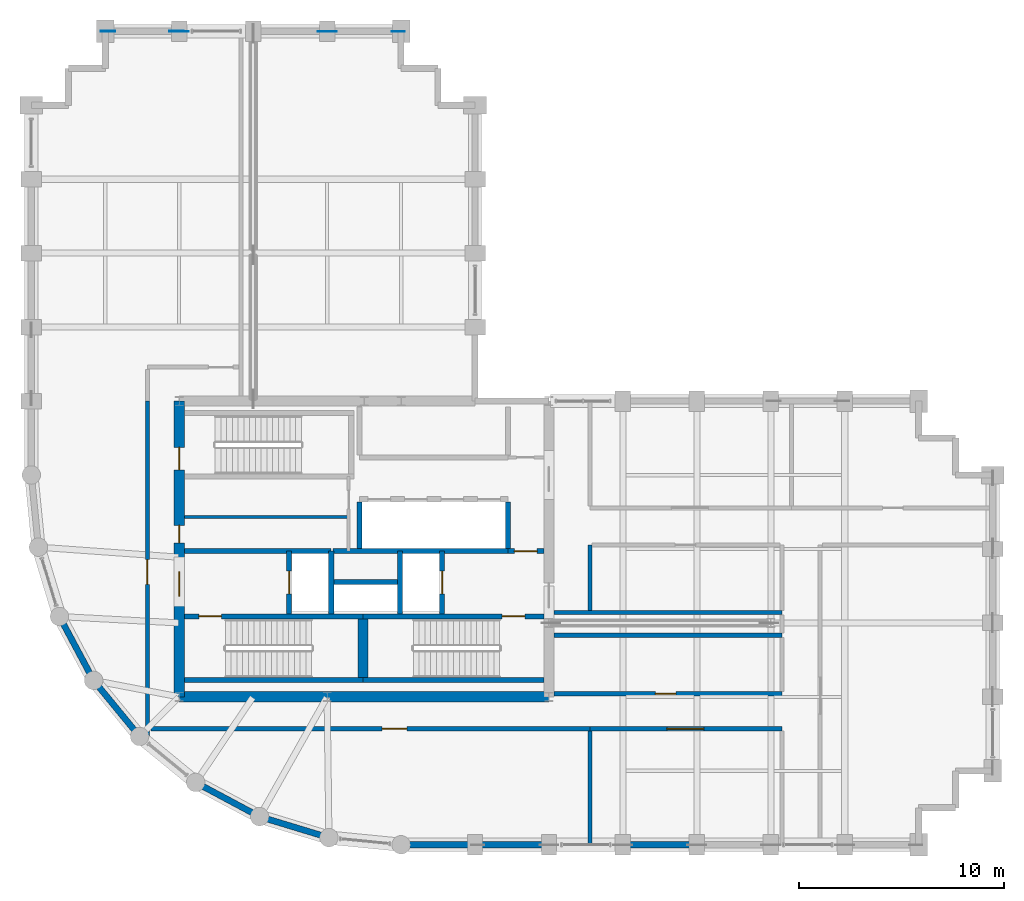
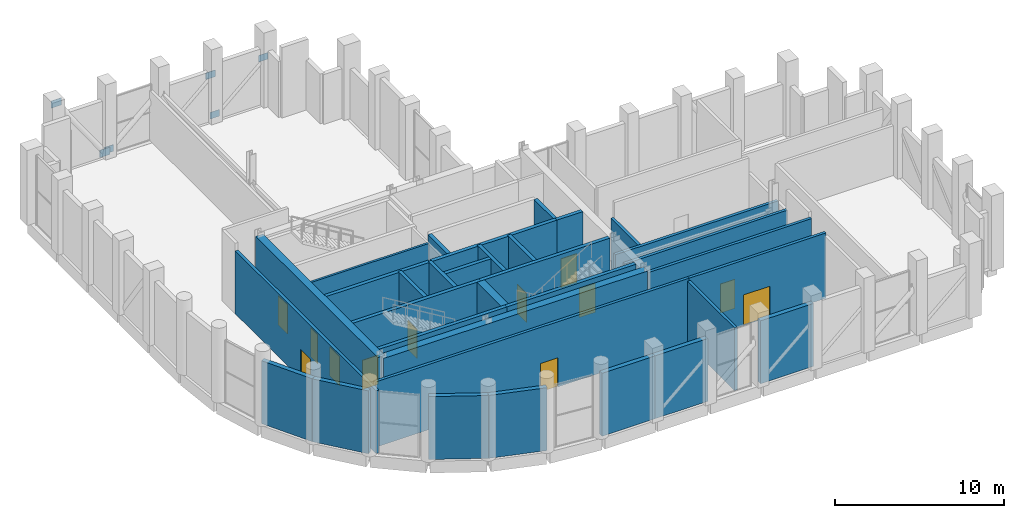
# One storey, part 16 of 19: 33 walls, 12 doors, 6 plates, 12 openings.
"""IFC4 building model written with IfcOpenShell, lengths in metres."""

from ifc_helpers import new_model, si_unit, direction, frame, frame_2d, origin, origin_2d, place, context, subcontext, project, spatial, rectangle, extrude, material, layer, layer_set, type_object, element, fill, save


model = new_model("IFC4")

# Units and contexts
model_context = context("Model", 3, precision=1e-05, world=origin(), true_north=direction((0.0, 1.0)))
body_context = subcontext(model_context, "Body", "Model", "MODEL_VIEW")
ifc_project = project(units=[si_unit("LENGTHUNIT", "METRE"), si_unit("AREAUNIT", "SQUARE_METRE"), si_unit("VOLUMEUNIT", "CUBIC_METRE"), si_unit("PLANEANGLEUNIT", "RADIAN"), si_unit("MASSUNIT", "GRAM", prefix="KILO")], contexts=[model_context])

# Site, building, storey
site_placement = place(None, origin())
site = spatial("IfcSite", under=ifc_project, at=site_placement, CompositionType="ELEMENT")
building_placement = place(site_placement, origin())
building = spatial("IfcBuilding", under=site, at=building_placement, Name="Solnavia Interchange Tower", CompositionType="ELEMENT")
storey_placement = place(building_placement, frame((0.0, 0.0, 169.39990234375)))
storey = spatial("IfcBuildingStorey", under=building, at=storey_placement, Name="L42", CompositionType="ELEMENT", Elevation=169.39990234375)

# Plates
ifc_material_1 = material(Name="Steel S460", Category="steel")
ifc_layer_1 = layer(ifc_material_1, 0.02490234375)
ifc_layer_set_1 = layer_set([ifc_layer_1], Name="Steel S460")
plate_type_1 = type_object("IfcPlateType", Name="Plate-Gusset-640x480x25", PredefinedType="USERDEFINED", material=ifc_layer_set_1)
for number, where, z_axis, x_axis, name in (
    (1, (14.5400390625, 43.199951171875, 0.06005859375), (0.0, 0.0, 1.0), (1.0, 0.0, 0.0), "PLT-L42-GP37 Belt truss gusset plate"),
    (2, (21.4599609375, 43.199951171875, 3.010009765625), (0.0, 0.0, 1.0), (1.0, 0.0, 0.0), "PLT-L42-GP38 Belt truss gusset plate"),
    (3, (21.739990234375, 43.199951171875, 0.06005859375), (0.0, 0.0, 1.0), (1.0, 0.0, 0.0), "PLT-L42-GP39 Belt truss gusset plate"),
    (4, (25.06005859375, 43.199951171875, 3.010009765625), (0.0, 0.0, 1.0), (1.0, 0.0, 0.0), "PLT-L42-GP40 Belt truss gusset plate"),
):
    element("IfcPlate", number, at=place(storey_placement, frame(where, z_axis=z_axis, x_axis=x_axis)), inside=storey, type_object=plate_type_1, Name=name, ObjectType="GUSSET PLATE", PredefinedType="USERDEFINED", context=body_context, shape_type="SweptSolid", body=[
        extrude(rectangle(XDim=0.639892578125, YDim=0.02490234375, at=origin_2d()), origin(), (0.0, 0.0, 1.0), 0.47998046875),
    ])
ifc_layer_2 = layer(ifc_material_1, 0.030029296875)
ifc_layer_set_2 = layer_set([ifc_layer_2], Name="Steel S460")
plate_type_2 = type_object("IfcPlateType", Name="Plate-Gusset-700x520x30", PredefinedType="USERDEFINED", material=ifc_layer_set_2)
for number, where, z_axis, x_axis, name in (
    (5, (14.260009765625, 43.199951171875, -0.079833984375), (0.0, 0.0, 1.0), (-1.0, 0.0, 0.0), "PLT-L42-GP05 Perimeter brace gusset plate"),
    (6, (10.93994140625, 43.199951171875, 4.64013671875), (0.0, 0.0, 1.0), (-1.0, 0.0, 0.0), "PLT-L42-GP06 Perimeter brace gusset plate"),
):
    element("IfcPlate", number, at=place(storey_placement, frame(where, z_axis=z_axis, x_axis=x_axis)), inside=storey, type_object=plate_type_2, Name=name, ObjectType="GUSSET PLATE", PredefinedType="USERDEFINED", context=body_context, shape_type="SweptSolid", body=[
        extrude(rectangle(XDim=0.699951171875, YDim=0.030029296875, at=origin_2d()), origin(), (0.0, 0.0, 1.0), 0.52001953125),
    ])

# Walls
ifc_material_2 = material(Name="Concrete C40/50", Category="concrete")
ifc_layer_3 = layer(ifc_material_2, 0.300048828125)
ifc_layer_set_3 = layer_set([ifc_layer_3], Name="Concrete C40/50")
wall_type_1 = type_object("IfcWallType", Name="Wall-ExtSpandrel-300", PredefinedType="STANDARD", material=ifc_layer_set_3)
wall_1_placement = place(storey_placement, frame((28.800048828125, 3.60009765625, 0.0), z_axis=(0.0, 0.0, 1.0), x_axis=(-1.0, 0.0, 0.0)))
element("IfcWall", 7, at=wall_1_placement, inside=storey, type_object=wall_type_1, Name="EXW-L42-01 Exterior precast spandrel wall", PredefinedType="STANDARD", context=body_context, shape_type="SweptSolid", body=[
    extrude(rectangle(XDim=3.60009765625, YDim=0.300048828125, at=frame_2d((1.800048828125, 0.0))), origin(), (0.0, 0.0, 1.0), 4.530029296875),
])
wall_2_placement = place(storey_placement, frame((32.39990234375, 3.60009765625, 0.0), z_axis=(0.0, 0.0, 1.0), x_axis=(-1.0, 0.0, 0.0)))
element("IfcWall", 8, at=wall_2_placement, inside=storey, type_object=wall_type_1, Name="EXW-L42-02 Exterior precast spandrel wall", PredefinedType="STANDARD", context=body_context, shape_type="SweptSolid", body=[
    extrude(rectangle(XDim=3.599853515625, YDim=0.300048828125, at=frame_2d((1.7998046875, 0.0))), origin(), (0.0, 0.0, 1.0), 4.530029296875),
])
wall_3_placement = place(storey_placement, frame((39.60009765625, 3.60009765625, 0.0), z_axis=(0.0, 0.0, 1.0), x_axis=(-1.0, 0.0, 0.0)))
element("IfcWall", 9, at=wall_3_placement, inside=storey, type_object=wall_type_1, Name="EXW-L42-04 Exterior precast spandrel wall", PredefinedType="STANDARD", context=body_context, shape_type="SweptSolid", body=[
    extrude(rectangle(XDim=3.60009765625, YDim=0.300048828125, at=frame_2d((1.800048828125, 0.0))), origin(), (0.0, 0.0, 1.0), 4.530029296875),
])
wall_4_placement = place(storey_placement, frame((10.23388671875, 11.60009765625, 0.0), z_axis=(0.0, 0.0, 1.0), x_axis=(-0.47151087309, 0.881860247748, 0.0)))
element("IfcWall", 10, at=wall_4_placement, inside=storey, type_object=wall_type_1, Name="EXW-L42-49 Exterior precast spandrel wall", PredefinedType="STANDARD", context=body_context, shape_type="SweptSolid", body=[
    extrude(rectangle(XDim=3.52880859375, YDim=0.300048828125, at=frame_2d((1.764404296875, 0.0))), origin(), (0.0, 0.0, 1.0), 4.530029296875),
])
wall_5_placement = place(storey_placement, frame((12.471923828125, 8.8720703125, 0.0), z_axis=(0.0, 0.0, 1.0), x_axis=(-0.634258295121, 0.773121216285, 0.0)))
element("IfcWall", 11, at=wall_5_placement, inside=storey, type_object=wall_type_1, Name="EXW-L42-50 Exterior precast spandrel wall", PredefinedType="STANDARD", context=body_context, shape_type="SweptSolid", body=[
    extrude(rectangle(XDim=3.528564453125, YDim=0.300048828125, at=frame_2d((1.76416015625, 0.0))), origin(), (0.0, 0.0, 1.0), 4.530029296875),
])
wall_6_placement = place(storey_placement, frame((18.31201171875, 4.969970703125, 0.0), z_axis=(0.0, 0.0, 1.0), x_axis=(-0.881846862014, 0.471535907389, 0.0)))
element("IfcWall", 12, at=wall_6_placement, inside=storey, type_object=wall_type_1, Name="EXW-L42-52 Exterior precast spandrel wall", PredefinedType="STANDARD", context=body_context, shape_type="SweptSolid", body=[
    extrude(rectangle(XDim=3.529052734375, YDim=0.300048828125, at=frame_2d((1.7646484375, 0.0))), origin(), (0.0, 0.0, 1.0), 4.530029296875),
])
wall_7_placement = place(storey_placement, frame((21.68798828125, 3.946044921875, 0.0), z_axis=(0.0, 0.0, 1.0), x_axis=(-0.956953367403, 0.290241714123, 0.0)))
element("IfcWall", 13, at=wall_7_placement, inside=storey, type_object=wall_type_1, Name="EXW-L42-53 Exterior precast spandrel wall", PredefinedType="STANDARD", context=body_context, shape_type="SweptSolid", body=[
    extrude(rectangle(XDim=3.52783203125, YDim=0.300048828125, at=frame_2d((1.763916015625, 0.0))), origin(), (0.0, 0.0, 1.0), 4.530029296875),
])
ifc_material_3 = material(Name="Gypsum Plasterboard & Steel Stud", Category="steel")
ifc_layer_4 = layer(ifc_material_3, 0.14990234375)
ifc_layer_set_4 = layer_set([ifc_layer_4], Name="Gypsum Plasterboard & Steel Stud")
wall_type_2 = type_object("IfcWallType", Name="Wall-Partition-150", PredefinedType="PARTITIONING", material=ifc_layer_set_4)
wall_8_placement = place(storey_placement, frame((14.64990234375, 19.550048828125, 0.0), z_axis=(0.0, 0.0, 1.0), x_axis=(1.0, 0.0, 0.0)))
element("IfcWall", 14, at=wall_8_placement, inside=storey, type_object=wall_type_2, Name="CSW-L42-H1 Core shaft wall", PredefinedType="PARTITIONING", context=body_context, shape_type="SweptSolid", body=[
    extrude(rectangle(XDim=8.0, YDim=0.14990234375, at=frame_2d((4.0, 0.0))), origin(), (0.0, 0.0, 1.0), 5.065185546875),
])

# Wall, opening, door
ifc_layer_5 = layer(ifc_material_2, 0.199951171875)
ifc_layer_set_5 = layer_set([ifc_layer_5], Name="Concrete C40/50")
wall_type_3 = type_object("IfcWallType", Name="Wall-PlantFire-200", PredefinedType="PARTITIONING", material=ifc_layer_set_5)
wall_9_placement = place(storey_placement, frame((12.85009765625, 8.56201171875, 0.0), z_axis=(0.0, 0.0, 1.0), x_axis=(0.0, 1.0, 0.0)))
wall_9 = element("IfcWall", 15, at=wall_9_placement, inside=storey, type_object=wall_type_3, Name="PTW-L42-02 Interior partition wall", PredefinedType="PARTITIONING", context=body_context, shape_type="SweptSolid", body=[
    extrude(rectangle(XDim=16.637939453125, YDim=0.199951171875, at=frame_2d((8.31884765625, 0.0))), origin(), (0.0, 0.0, 1.0), 4.530029296875),
])
opening_1_placement = place(wall_9_placement, frame((7.718994140625, 0.0, 0.0)))
opening_1 = element("IfcOpeningElement", 16, at=opening_1_placement, cuts=wall_9, Name="Opening DR-02", PredefinedType="OPENING", context=body_context, shape_type="SweptSolid", body=[
    extrude(rectangle(XDim=1.199951171875, YDim=2.10009765625, at=frame_2d((0.60009765625, 1.050048828125))), frame((0.0, 0.10986328125, 0.0), z_axis=(0.0, -1.0, 0.0), x_axis=(1.0, 0.0, 0.0)), (0.0, 0.0, 1.0), 0.219970703125),
])
ifc_material_4 = material(Name="Steel Fire-Rated Vision-Panel Door", Category="steel")
door_type_1 = type_object("IfcDoorType", Name="Door-LobbyFire-1200x2100", OperationType="SINGLE_SWING_RIGHT", PredefinedType="DOOR", material=ifc_material_4)
door_1_placement = place(opening_1_placement, origin())
door_1 = element("IfcDoor", 17, at=door_1_placement, inside=storey, type_object=door_type_1, Name="DR-L42-01 Interior room door", OperationType="SINGLE_SWING_LEFT", OverallHeight=2.10009765625, OverallWidth=1.199951171875, PredefinedType="DOOR", context=body_context, shape_type="SweptSolid", body=[
    extrude(rectangle(XDim=1.199951171875, YDim=2.10009765625, at=frame_2d((0.60009765625, 1.050048828125))), frame((0.0, 0.02490234375, 0.0), z_axis=(0.0, -1.0, 0.0), x_axis=(1.0, 0.0, 0.0)), (0.0, 0.0, 1.0), 0.050048828125),
])
fill(opening_1, door_1)

# Walls
for number, where, z_axis, x_axis, name in (
    (18, (32.654052734375, 13.800048828125, 0.0), (0.0, 0.0, 1.0), (1.0, 0.0, 0.0), "PTW-L42-06 Interior partition wall"),
    (19, (32.654052734375, 14.89990234375, 0.0), (0.0, 0.0, 1.0), (1.0, 0.0, 0.0), "PTW-L42-07 Interior partition wall"),
):
    element("IfcWall", number, at=place(storey_placement, frame(where, z_axis=z_axis, x_axis=x_axis)), inside=storey, type_object=wall_type_3, Name=name, PredefinedType="PARTITIONING", context=body_context, shape_type="SweptSolid", body=[
        extrude(rectangle(XDim=11.095947265625, YDim=0.199951171875, at=frame_2d((5.5478515625, 0.0))), origin(), (0.0, 0.0, 1.0), 3.580078125),
    ])

# Wall, opening, door
wall_10_placement = place(storey_placement, frame((13.030029296875, 9.25, 0.0), z_axis=(0.0, 0.0, 1.0), x_axis=(1.0, 0.0, 0.0)))
wall_10 = element("IfcWall", 20, at=wall_10_placement, inside=storey, type_object=wall_type_3, Name="PTW-L42-09 Interior partition wall", PredefinedType="PARTITIONING", context=body_context, shape_type="SweptSolid", body=[
    extrude(rectangle(XDim=21.369873046875, YDim=0.199951171875, at=frame_2d((10.68505859375, 0.0))), origin(), (0.0, 0.0, 1.0), 4.7001953125),
])
opening_2_placement = place(wall_10_placement, frame((11.248046875, 0.0, 0.0)))
opening_2 = element("IfcOpeningElement", 21, at=opening_2_placement, cuts=wall_10, Name="Opening DR-02", PredefinedType="OPENING", context=body_context, shape_type="SweptSolid", body=[
    extrude(rectangle(XDim=1.199951171875, YDim=2.10009765625, at=frame_2d((0.60009765625, 1.050048828125))), frame((0.0, 0.10986328125, 0.0), z_axis=(0.0, -1.0, 0.0), x_axis=(1.0, 0.0, 0.0)), (0.0, 0.0, 1.0), 0.219970703125),
])
door_2_placement = place(opening_2_placement, origin())
door_2 = element("IfcDoor", 22, at=door_2_placement, inside=storey, type_object=door_type_1, Name="DR-L42-03 Interior room door", OperationType="SINGLE_SWING_RIGHT", OverallHeight=2.10009765625, OverallWidth=1.199951171875, PredefinedType="DOOR", context=body_context, shape_type="SweptSolid", body=[
    extrude(rectangle(XDim=1.199951171875, YDim=2.10009765625, at=frame_2d((0.60009765625, 1.050048828125))), frame((0.0, 0.02490234375, 0.0), z_axis=(0.0, -1.0, 0.0), x_axis=(1.0, 0.0, 0.0)), (0.0, 0.0, 1.0), 0.050048828125),
])
fill(opening_2, door_2)

# Wall
wall_11_placement = place(storey_placement, frame((34.39990234375, 3.60009765625, 0.0), z_axis=(0.0, 0.0, 1.0), x_axis=(0.0, 1.0, 0.0)))
element("IfcWall", 23, at=wall_11_placement, inside=storey, type_object=wall_type_3, Name="PTW-L42-10 Interior partition wall", PredefinedType="PARTITIONING", context=body_context, shape_type="SweptSolid", body=[
    extrude(rectangle(XDim=5.5458984375, YDim=0.199951171875, at=frame_2d((2.77294921875, 0.0))), origin(), (0.0, 0.0, 1.0), 4.530029296875),
])

# Wall, opening, door
wall_12_placement = place(storey_placement, frame((34.39990234375, 9.25, 0.0), z_axis=(0.0, 0.0, 1.0), x_axis=(1.0, 0.0, 0.0)))
wall_12 = element("IfcWall", 24, at=wall_12_placement, inside=storey, type_object=wall_type_3, Name="PTW-L42-11 Interior partition wall", PredefinedType="PARTITIONING", context=body_context, shape_type="SweptSolid", body=[
    extrude(rectangle(XDim=9.35009765625, YDim=0.199951171875, at=frame_2d((4.675048828125, 0.0))), origin(), (0.0, 0.0, 1.0), 4.7001953125),
])
opening_3_placement = place(wall_12_placement, frame((3.735107421875, 0.0, 0.0)))
opening_3 = element("IfcOpeningElement", 25, at=opening_3_placement, cuts=wall_12, Name="Opening DR-05", PredefinedType="OPENING", context=body_context, shape_type="SweptSolid", body=[
    extrude(rectangle(XDim=1.800048828125, YDim=2.199951171875, at=frame_2d((0.89990234375, 1.10009765625))), frame((0.0, 0.10986328125, 0.0), z_axis=(0.0, -1.0, 0.0), x_axis=(1.0, 0.0, 0.0)), (0.0, 0.0, 1.0), 0.219970703125),
])
ifc_material_5 = material(Name="Steel Double Fire Door", Category="steel")
door_type_2 = type_object("IfcDoorType", Name="Door-PlantDouble-1800x2200", OperationType="DOUBLE_DOOR_SINGLE_SWING", PredefinedType="DOOR", material=ifc_material_5)
door_3_placement = place(opening_3_placement, origin())
door_3 = element("IfcDoor", 26, at=door_3_placement, inside=storey, type_object=door_type_2, Name="DR-L42-04 Interior room door", OperationType="DOUBLE_DOOR_SINGLE_SWING", OverallHeight=2.199951171875, OverallWidth=1.800048828125, PredefinedType="DOOR", context=body_context, shape_type="SweptSolid", body=[
    extrude(rectangle(XDim=1.800048828125, YDim=2.199951171875, at=frame_2d((0.89990234375, 1.10009765625))), frame((0.0, 0.02490234375, 0.0), z_axis=(0.0, -1.0, 0.0), x_axis=(1.0, 0.0, 0.0)), (0.0, 0.0, 1.0), 0.050048828125),
])
fill(opening_3, door_3)

# Wall
wall_13_placement = place(storey_placement, frame((34.39990234375, 15.00390625, 0.0), z_axis=(0.0, 0.0, 1.0), x_axis=(0.0, 1.0, 0.0)))
element("IfcWall", 27, at=wall_13_placement, inside=storey, type_object=wall_type_3, Name="PTW-L42-15 Interior partition wall", PredefinedType="PARTITIONING", context=body_context, shape_type="SweptSolid", body=[
    extrude(rectangle(XDim=3.196044921875, YDim=0.199951171875, at=frame_2d((1.59814453125, 0.0))), origin(), (0.0, 0.0, 1.0), 3.580078125),
])

# Wall, opening, door
wall_14_placement = place(storey_placement, frame((32.654052734375, 10.949951171875, 0.0), z_axis=(0.0, 0.0, 1.0), x_axis=(1.0, 0.0, 0.0)))
wall_14 = element("IfcWall", 28, at=wall_14_placement, inside=storey, type_object=wall_type_3, Name="PTW-L42-22 Interior partition wall", PredefinedType="PARTITIONING", context=body_context, shape_type="SweptSolid", body=[
    extrude(rectangle(XDim=11.095947265625, YDim=0.199951171875, at=frame_2d((5.5478515625, 0.0))), origin(), (0.0, 0.0, 1.0), 4.7001953125),
])
opening_4_placement = place(wall_14_placement, frame((4.9208984375, 0.0, 0.0)))
opening_4 = element("IfcOpeningElement", 29, at=opening_4_placement, cuts=wall_14, Name="Opening DR-04", PredefinedType="OPENING", context=body_context, shape_type="SweptSolid", body=[
    extrude(rectangle(XDim=1.0, YDim=2.10009765625, at=frame_2d((0.5, 1.050048828125))), frame((0.0, 0.10986328125, 0.0), z_axis=(0.0, -1.0, 0.0), x_axis=(1.0, 0.0, 0.0)), (0.0, 0.0, 1.0), 0.219970703125),
])
ifc_material_6 = material(Name="Steel Fire-Rated Plant Door", Category="steel")
door_type_3 = type_object("IfcDoorType", Name="Door-PlantFire-1000x2100", OperationType="SINGLE_SWING_LEFT", PredefinedType="DOOR", material=ifc_material_6)
door_4_placement = place(opening_4_placement, origin())
door_4 = element("IfcDoor", 30, at=door_4_placement, inside=storey, type_object=door_type_3, Name="DR-L42-09 Interior room door", OperationType="SINGLE_SWING_LEFT", OverallHeight=2.10009765625, OverallWidth=1.0, PredefinedType="DOOR", context=body_context, shape_type="SweptSolid", body=[
    extrude(rectangle(XDim=1.0, YDim=2.10009765625, at=frame_2d((0.5, 1.050048828125))), frame((0.0, 0.02490234375, 0.0), z_axis=(0.0, -1.0, 0.0), x_axis=(1.0, 0.0, 0.0)), (0.0, 0.0, 1.0), 0.050048828125),
])
fill(opening_4, door_4)

# Wall
ifc_layer_6 = layer(ifc_material_2, 0.25)
ifc_layer_set_6 = layer_set([ifc_layer_6], Name="Concrete C40/50")
wall_type_4 = type_object("IfcWallType", Name="Wall-ShaftCore-250", PredefinedType="SHEAR", material=ifc_layer_set_6)
wall_15_placement = place(storey_placement, frame((14.64990234375, 11.625, 0.0), z_axis=(0.0, 0.0, 1.0), x_axis=(1.0, 0.0, 0.0)))
element("IfcWall", 31, at=wall_15_placement, inside=storey, type_object=wall_type_4, Name="SHW-L42-ST1S Core shear wall", PredefinedType="SHEAR", context=body_context, shape_type="SweptSolid", body=[
    extrude(rectangle(XDim=8.7001953125, YDim=0.25, at=frame_2d((4.35009765625, 0.0))), origin(), (0.0, 0.0, 1.0), 5.080078125),
])

# Wall, opening, door
wall_16_placement = place(storey_placement, frame((14.64990234375, 14.715087890625, 0.0), z_axis=(0.0, 0.0, 1.0), x_axis=(1.0, 0.0, 0.0)))
wall_16 = element("IfcWall", 32, at=wall_16_placement, inside=storey, type_object=wall_type_4, Name="SHW-L42-ST1N Core shear wall", PredefinedType="SHEAR", context=body_context, shape_type="SweptSolid", body=[
    extrude(rectangle(XDim=8.7001953125, YDim=0.25, at=frame_2d((4.35009765625, 0.0))), origin(), (0.0, 0.0, 1.0), 5.080078125),
])
opening_5_placement = place(wall_16_placement, frame((0.705078125, 0.0, 0.0)))
opening_5 = element("IfcOpeningElement", 33, at=opening_5_placement, cuts=wall_16, Name="Opening DR-01", PredefinedType="OPENING", context=body_context, shape_type="SweptSolid", body=[
    extrude(rectangle(XDim=1.10009765625, YDim=2.10009765625, at=frame_2d((0.550048828125, 1.050048828125))), frame((0.0, 0.135009765625, 0.0), z_axis=(0.0, -1.0, 0.0), x_axis=(1.0, 0.0, 0.0)), (0.0, 0.0, 1.0), 0.27001953125),
])
ifc_material_7 = material(Name="Steel Fire-Rated Leaf & Frame", Category="steel")
door_type_4 = type_object("IfcDoorType", Name="Door-StairFire-1100x2100", OperationType="SINGLE_SWING_LEFT", PredefinedType="DOOR", material=ifc_material_7)
door_5_placement = place(opening_5_placement, origin())
door_5 = element("IfcDoor", 34, at=door_5_placement, inside=storey, type_object=door_type_4, Name="DR-L42-ST1 Core fire door", OperationType="SINGLE_SWING_LEFT", OverallHeight=2.10009765625, OverallWidth=1.10009765625, PredefinedType="DOOR", context=body_context, shape_type="SweptSolid", body=[
    extrude(rectangle(XDim=1.10009765625, YDim=2.10009765625, at=frame_2d((0.550048828125, 1.050048828125))), frame((0.0, 0.02490234375, 0.0), z_axis=(0.0, -1.0, 0.0), x_axis=(1.0, 0.0, 0.0)), (0.0, 0.0, 1.0), 0.050048828125),
])
fill(opening_5, door_5)

# Wall
wall_17_placement = place(storey_placement, frame((23.35009765625, 11.625, 0.0), z_axis=(0.0, 0.0, 1.0), x_axis=(1.0, 0.0, 0.0)))
element("IfcWall", 35, at=wall_17_placement, inside=storey, type_object=wall_type_4, Name="SHW-L42-ST2S Core shear wall", PredefinedType="SHEAR", context=body_context, shape_type="SweptSolid", body=[
    extrude(rectangle(XDim=8.7998046875, YDim=0.25, at=frame_2d((4.39990234375, 0.0))), origin(), (0.0, 0.0, 1.0), 5.080078125),
])

# Wall, opening, door
wall_18_placement = place(storey_placement, frame((23.35009765625, 14.715087890625, 0.0), z_axis=(0.0, 0.0, 1.0), x_axis=(1.0, 0.0, 0.0)))
wall_18 = element("IfcWall", 36, at=wall_18_placement, inside=storey, type_object=wall_type_4, Name="SHW-L42-ST2N Core shear wall", PredefinedType="SHEAR", context=body_context, shape_type="SweptSolid", body=[
    extrude(rectangle(XDim=8.7998046875, YDim=0.25, at=frame_2d((4.39990234375, 0.0))), origin(), (0.0, 0.0, 1.0), 5.080078125),
])
opening_6_placement = place(wall_18_placement, frame((6.77490234375, 0.0, 0.0)))
opening_6 = element("IfcOpeningElement", 37, at=opening_6_placement, cuts=wall_18, Name="Opening DR-01", PredefinedType="OPENING", context=body_context, shape_type="SweptSolid", body=[
    extrude(rectangle(XDim=1.10009765625, YDim=2.10009765625, at=frame_2d((0.550048828125, 1.050048828125))), frame((0.0, 0.135009765625, 0.0), z_axis=(0.0, -1.0, 0.0), x_axis=(1.0, 0.0, 0.0)), (0.0, 0.0, 1.0), 0.27001953125),
])
door_6_placement = place(opening_6_placement, origin())
door_6 = element("IfcDoor", 38, at=door_6_placement, inside=storey, type_object=door_type_4, Name="DR-L42-ST2 Core fire door", OperationType="SINGLE_SWING_LEFT", OverallHeight=2.10009765625, OverallWidth=1.10009765625, PredefinedType="DOOR", context=body_context, shape_type="SweptSolid", body=[
    extrude(rectangle(XDim=1.10009765625, YDim=2.10009765625, at=frame_2d((0.550048828125, 1.050048828125))), frame((0.0, 0.02490234375, 0.0), z_axis=(0.0, -1.0, 0.0), x_axis=(1.0, 0.0, 0.0)), (0.0, 0.0, 1.0), 0.050048828125),
])
fill(opening_6, door_6)

# Wall
ifc_layer_7 = layer(ifc_material_2, 0.25)
ifc_layer_set_7 = layer_set([ifc_layer_7], Name="Concrete C40/50")
wall_type_5 = type_object("IfcWallType", Name="Wall-ShaftPart-250", PredefinedType="PARTITIONING", material=ifc_layer_set_7)
wall_19_placement = place(storey_placement, frame((14.64990234375, 17.89990234375, 0.0), z_axis=(0.0, 0.0, 1.0), x_axis=(1.0, 0.0, 0.0)))
element("IfcWall", 39, at=wall_19_placement, inside=storey, type_object=wall_type_5, Name="SHW-L42-FFLW-N Core shaft wall", PredefinedType="PARTITIONING", context=body_context, shape_type="SweptSolid", body=[
    extrude(rectangle(XDim=7.150146484375, YDim=0.25, at=frame_2d((3.5751953125, 0.0))), origin(), (0.0, 0.0, 1.0), 5.065185546875),
])

# Wall, opening, door
wall_20_placement = place(storey_placement, frame((19.75, 14.840087890625, 0.0), z_axis=(0.0, 0.0, 1.0), x_axis=(0.0, 1.0, 0.0)))
wall_20 = element("IfcWall", 40, at=wall_20_placement, inside=storey, type_object=wall_type_5, Name="SHW-L42-FFL1-W Core shaft wall", PredefinedType="PARTITIONING", context=body_context, shape_type="SweptSolid", body=[
    extrude(rectangle(XDim=3.059814453125, YDim=0.25, at=frame_2d((1.52978515625, 0.0))), origin(), (0.0, 0.0, 1.0), 5.065185546875),
])
opening_7_placement = place(wall_20_placement, frame((0.97998046875, 0.0, 0.0)))
opening_7 = element("IfcOpeningElement", 41, at=opening_7_placement, cuts=wall_20, Name="Opening LD-01", PredefinedType="OPENING", context=body_context, shape_type="SweptSolid", body=[
    extrude(rectangle(XDim=1.10009765625, YDim=2.10009765625, at=frame_2d((0.550048828125, 1.050048828125))), frame((0.0, 0.135009765625, 0.0), z_axis=(0.0, -1.0, 0.0), x_axis=(1.0, 0.0, 0.0)), (0.0, 0.0, 1.0), 0.27001953125),
])
ifc_material_8 = material(Name="Brushed Stainless Steel Sliding Door", Category="steel")
door_type_5 = type_object("IfcDoorType", Name="Door-LiftLanding-1100x2100", OperationType="SLIDING_TO_LEFT", PredefinedType="DOOR", material=ifc_material_8)
door_7_placement = place(opening_7_placement, origin())
door_7 = element("IfcDoor", 42, at=door_7_placement, inside=storey, type_object=door_type_5, Name="LD-L42-FFL1 Lift landing sliding door", OperationType="SLIDING_TO_LEFT", OverallHeight=2.10009765625, OverallWidth=1.10009765625, PredefinedType="DOOR", context=body_context, shape_type="SweptSolid", body=[
    extrude(rectangle(XDim=1.10009765625, YDim=2.10009765625, at=frame_2d((0.550048828125, 1.050048828125))), frame((0.0, 0.02490234375, 0.0), z_axis=(0.0, -1.0, 0.0), x_axis=(1.0, 0.0, 0.0)), (0.0, 0.0, 1.0), 0.050048828125),
])
fill(opening_7, door_7)

# Walls
wall_21_placement = place(storey_placement, frame((21.800048828125, 14.840087890625, 0.0), z_axis=(0.0, 0.0, 1.0), x_axis=(0.0, 1.0, 0.0)))
element("IfcWall", 43, at=wall_21_placement, inside=storey, type_object=wall_type_5, Name="SHW-L42-FFL1-E Core shaft wall", PredefinedType="PARTITIONING", context=body_context, shape_type="SweptSolid", body=[
    extrude(rectangle(XDim=3.059814453125, YDim=0.25, at=frame_2d((1.52978515625, 0.0))), origin(), (0.0, 0.0, 1.0), 5.065185546875),
])
wall_22_placement = place(storey_placement, frame((21.8798828125, 17.89990234375, 0.0), z_axis=(0.0, 0.0, 1.0), x_axis=(1.0, 0.0, 0.0)))
element("IfcWall", 44, at=wall_22_placement, inside=storey, type_object=wall_type_5, Name="SHW-L42-FFLE-N1 Core shaft wall", PredefinedType="PARTITIONING", context=body_context, shape_type="SweptSolid", body=[
    extrude(rectangle(XDim=8.52001953125, YDim=0.25, at=frame_2d((4.260009765625, 0.0))), origin(), (0.0, 0.0, 1.0), 5.065185546875),
])

# Wall, opening, door
wall_23_placement = place(storey_placement, frame((30.39990234375, 17.89990234375, 0.0), z_axis=(0.0, 0.0, 1.0), x_axis=(1.0, 0.0, 0.0)))
wall_23 = element("IfcWall", 45, at=wall_23_placement, inside=storey, type_object=wall_type_5, Name="SHW-L42-FFLE-N2 Core shaft wall", PredefinedType="PARTITIONING", context=body_context, shape_type="SweptSolid", body=[
    extrude(rectangle(XDim=1.75, YDim=0.25, at=frame_2d((0.875, 0.0))), origin(), (0.0, 0.0, 1.0), 5.065185546875),
])
opening_8_placement = place(wall_23_placement, frame((0.320068359375, 0.0, 0.0)))
opening_8 = element("IfcOpeningElement", 46, at=opening_8_placement, cuts=wall_23, Name="Opening DR-01", PredefinedType="OPENING", context=body_context, shape_type="SweptSolid", body=[
    extrude(rectangle(XDim=1.10009765625, YDim=2.10009765625, at=frame_2d((0.550048828125, 1.050048828125))), frame((0.0, 0.135009765625, 0.0), z_axis=(0.0, -1.0, 0.0), x_axis=(1.0, 0.0, 0.0)), (0.0, 0.0, 1.0), 0.27001953125),
])
door_8_placement = place(opening_8_placement, origin())
door_8 = element("IfcDoor", 47, at=door_8_placement, inside=storey, type_object=door_type_4, Name="DR-L42-LLC Core fire door", OperationType="SINGLE_SWING_LEFT", OverallHeight=2.10009765625, OverallWidth=1.10009765625, PredefinedType="DOOR", context=body_context, shape_type="SweptSolid", body=[
    extrude(rectangle(XDim=1.10009765625, YDim=2.10009765625, at=frame_2d((0.550048828125, 1.050048828125))), frame((0.0, 0.02490234375, 0.0), z_axis=(0.0, -1.0, 0.0), x_axis=(1.0, 0.0, 0.0)), (0.0, 0.0, 1.0), 0.050048828125),
])
fill(opening_8, door_8)

# Wall
wall_24_placement = place(storey_placement, frame((25.14990234375, 14.840087890625, 0.0), z_axis=(0.0, 0.0, 1.0), x_axis=(0.0, 1.0, 0.0)))
element("IfcWall", 48, at=wall_24_placement, inside=storey, type_object=wall_type_5, Name="SHW-L42-FFL2-W Core shaft wall", PredefinedType="PARTITIONING", context=body_context, shape_type="SweptSolid", body=[
    extrude(rectangle(XDim=3.059814453125, YDim=0.25, at=frame_2d((1.52978515625, 0.0))), origin(), (0.0, 0.0, 1.0), 5.065185546875),
])

# Wall, opening, door
wall_25_placement = place(storey_placement, frame((27.199951171875, 14.840087890625, 0.0), z_axis=(0.0, 0.0, 1.0), x_axis=(0.0, 1.0, 0.0)))
wall_25 = element("IfcWall", 49, at=wall_25_placement, inside=storey, type_object=wall_type_5, Name="SHW-L42-FFL2-E Core shaft wall", PredefinedType="PARTITIONING", context=body_context, shape_type="SweptSolid", body=[
    extrude(rectangle(XDim=3.059814453125, YDim=0.25, at=frame_2d((1.52978515625, 0.0))), origin(), (0.0, 0.0, 1.0), 5.065185546875),
])
opening_9_placement = place(wall_25_placement, frame((0.97998046875, 0.0, 0.0)))
opening_9 = element("IfcOpeningElement", 50, at=opening_9_placement, cuts=wall_25, Name="Opening LD-01", PredefinedType="OPENING", context=body_context, shape_type="SweptSolid", body=[
    extrude(rectangle(XDim=1.10009765625, YDim=2.10009765625, at=frame_2d((0.550048828125, 1.050048828125))), frame((0.0, 0.135009765625, 0.0), z_axis=(0.0, -1.0, 0.0), x_axis=(1.0, 0.0, 0.0)), (0.0, 0.0, 1.0), 0.27001953125),
])
door_9_placement = place(opening_9_placement, origin())
door_9 = element("IfcDoor", 51, at=door_9_placement, inside=storey, type_object=door_type_5, Name="LD-L42-FFL2 Lift landing sliding door", OperationType="SLIDING_TO_LEFT", OverallHeight=2.10009765625, OverallWidth=1.10009765625, PredefinedType="DOOR", context=body_context, shape_type="SweptSolid", body=[
    extrude(rectangle(XDim=1.10009765625, YDim=2.10009765625, at=frame_2d((0.550048828125, 1.050048828125))), frame((0.0, 0.02490234375, 0.0), z_axis=(0.0, -1.0, 0.0), x_axis=(1.0, 0.0, 0.0)), (0.0, 0.0, 1.0), 0.050048828125),
])
fill(opening_9, door_9)

# Walls
wall_26_placement = place(storey_placement, frame((21.800048828125, 16.39990234375, 0.0), z_axis=(0.0, 0.0, 1.0), x_axis=(1.0, 0.0, 0.0)))
element("IfcWall", 52, at=wall_26_placement, inside=storey, type_object=wall_type_5, Name="SHW-L42-MEP-N Core shaft wall", PredefinedType="PARTITIONING", context=body_context, shape_type="SweptSolid", body=[
    extrude(rectangle(XDim=3.349853515625, YDim=0.25, at=frame_2d((1.6748046875, 0.0))), origin(), (0.0, 0.0, 1.0), 5.065185546875),
])
for number, where, z_axis, x_axis, name in (
    (53, (23.179931640625, 18.02490234375, 0.0), (0.0, 0.0, 1.0), (0.0, 1.0, 0.0), "SHW-L42-B2W Core shaft wall"),
    (54, (30.39990234375, 18.02490234375, 0.0), (0.0, 0.0, 1.0), (0.0, 1.0, 0.0), "SHW-L42-B2E Core shaft wall"),
):
    element("IfcWall", number, at=place(storey_placement, frame(where, z_axis=z_axis, x_axis=x_axis)), inside=storey, type_object=wall_type_5, Name=name, PredefinedType="PARTITIONING", context=body_context, shape_type="SweptSolid", body=[
        extrude(rectangle(XDim=2.27001953125, YDim=0.25, at=frame_2d((1.135009765625, 0.0))), origin(), (0.0, 0.0, 1.0), 5.065185546875),
    ])
ifc_material_9 = material(Name="Concrete C60/75", Category="concrete")
ifc_layer_8 = layer(ifc_material_9, 0.5)
ifc_layer_set_8 = layer_set([ifc_layer_8], Name="Concrete C60/75")
wall_type_6 = type_object("IfcWallType", Name="Wall-ShearCore-500", PredefinedType="SHEAR", material=ifc_layer_set_8)
wall_27_placement = place(storey_placement, frame((14.39990234375, 10.800048828125, 0.0), z_axis=(0.0, 0.0, 1.0), x_axis=(1.0, 0.0, 0.0)))
element("IfcWall", 55, at=wall_27_placement, inside=storey, type_object=wall_type_6, Name="CRW-L42-S Core shear wall", PredefinedType="SHEAR", context=body_context, shape_type="SweptSolid", body=[
    extrude(rectangle(XDim=18.0, YDim=0.5, at=frame_2d((9.0, 0.0))), origin(), (0.0, 0.0, 1.0), 5.080078125),
])

# Wall, openings, doors
wall_28_placement = place(storey_placement, frame((14.39990234375, 10.800048828125, 0.0), z_axis=(0.0, 0.0, 1.0), x_axis=(0.0, 1.0, 0.0)))
wall_28 = element("IfcWall", 56, at=wall_28_placement, inside=storey, type_object=wall_type_6, Name="CRW-L42-W Core shear wall", PredefinedType="SHEAR", context=body_context, shape_type="SweptSolid", body=[
    extrude(rectangle(XDim=14.39990234375, YDim=0.5, at=frame_2d((7.199951171875, 0.0))), origin(), (0.0, 0.0, 1.0), 5.080078125),
])
opening_10_placement = place(wall_28_placement, frame((11.050048828125, 0.0, 0.0)))
opening_10 = element("IfcOpeningElement", 57, at=opening_10_placement, cuts=wall_28, Name="Opening DR-01", PredefinedType="OPENING", context=body_context, shape_type="SweptSolid", body=[
    extrude(rectangle(XDim=1.10009765625, YDim=2.10009765625, at=frame_2d((0.550048828125, 1.050048828125))), frame((0.0, 0.260009765625, 0.0), z_axis=(0.0, -1.0, 0.0), x_axis=(1.0, 0.0, 0.0)), (0.0, 0.0, 1.0), 0.52001953125),
])
opening_11_placement = place(wall_28_placement, frame((4.89990234375, 0.0, 0.0)))
opening_11 = element("IfcOpeningElement", 58, at=opening_11_placement, cuts=wall_28, Name="Opening DR-02", PredefinedType="OPENING", context=body_context, shape_type="SweptSolid", body=[
    extrude(rectangle(XDim=1.199951171875, YDim=2.10009765625, at=frame_2d((0.60009765625, 1.050048828125))), frame((0.0, 0.260009765625, 0.0), z_axis=(0.0, -1.0, 0.0), x_axis=(1.0, 0.0, 0.0)), (0.0, 0.0, 1.0), 0.52001953125),
])
opening_12_placement = place(wall_28_placement, frame((7.5, 0.0, 0.0)))
opening_12 = element("IfcOpeningElement", 59, at=opening_12_placement, cuts=wall_28, Name="Opening DR-10", PredefinedType="OPENING", context=body_context, shape_type="SweptSolid", body=[
    extrude(rectangle(XDim=0.85009765625, YDim=2.10009765625, at=frame_2d((0.425048828125, 1.050048828125))), frame((0.0, 0.260009765625, 0.0), z_axis=(0.0, -1.0, 0.0), x_axis=(1.0, 0.0, 0.0)), (0.0, 0.0, 1.0), 0.52001953125),
])
ifc_material_10 = material(Name="Moisture-Resistant Timber Door", Category="wood")
door_type_6 = type_object("IfcDoorType", Name="Door-Bathroom-850x2100", OperationType="SINGLE_SWING_RIGHT", PredefinedType="DOOR", material=ifc_material_10)
door_10_placement = place(opening_12_placement, origin())
door_10 = element("IfcDoor", 60, at=door_10_placement, inside=storey, type_object=door_type_6, Name="DR-L42-CS1 Core fire door", OperationType="SINGLE_SWING_RIGHT", OverallHeight=2.10009765625, OverallWidth=0.85009765625, PredefinedType="DOOR", context=body_context, shape_type="SweptSolid", body=[
    extrude(rectangle(XDim=0.85009765625, YDim=2.10009765625, at=frame_2d((0.425048828125, 1.050048828125))), frame((0.0, 0.02490234375, 0.0), z_axis=(0.0, -1.0, 0.0), x_axis=(1.0, 0.0, 0.0)), (0.0, 0.0, 1.0), 0.050048828125),
])
fill(opening_12, door_10)
door_11_placement = place(opening_11_placement, origin())
door_11 = element("IfcDoor", 61, at=door_11_placement, inside=storey, type_object=door_type_1, Name="DR-L42-FFL1W Core fire door", OperationType="SINGLE_SWING_RIGHT", OverallHeight=2.10009765625, OverallWidth=1.199951171875, PredefinedType="DOOR", context=body_context, shape_type="SweptSolid", body=[
    extrude(rectangle(XDim=1.199951171875, YDim=2.10009765625, at=frame_2d((0.60009765625, 1.050048828125))), frame((0.0, 0.02490234375, 0.0), z_axis=(0.0, -1.0, 0.0), x_axis=(1.0, 0.0, 0.0)), (0.0, 0.0, 1.0), 0.050048828125),
])
fill(opening_11, door_11)
door_12_placement = place(opening_10_placement, origin())
door_12 = element("IfcDoor", 62, at=door_12_placement, inside=storey, type_object=door_type_4, Name="DR-L42-ST3 Core fire door", OperationType="SINGLE_SWING_RIGHT", OverallHeight=2.10009765625, OverallWidth=1.10009765625, PredefinedType="DOOR", context=body_context, shape_type="SweptSolid", body=[
    extrude(rectangle(XDim=1.10009765625, YDim=2.10009765625, at=frame_2d((0.550048828125, 1.050048828125))), frame((0.0, 0.02490234375, 0.0), z_axis=(0.0, -1.0, 0.0), x_axis=(1.0, 0.0, 0.0)), (0.0, 0.0, 1.0), 0.050048828125),
])
fill(opening_10, door_12)

# Wall
wall_29_placement = place(storey_placement, frame((23.35009765625, 11.75, 0.0), z_axis=(0.0, 0.0, 1.0), x_axis=(0.0, 1.0, 0.0)))
element("IfcWall", 63, at=wall_29_placement, inside=storey, type_object=wall_type_6, Name="SHW-L42-ST12M Core shear wall", PredefinedType="SHEAR", context=body_context, shape_type="SweptSolid", body=[
    extrude(rectangle(XDim=2.840087890625, YDim=0.5, at=frame_2d((1.419921875, 0.0))), origin(), (0.0, 0.0, 1.0), 5.080078125),
])

save(model, "model.ifc")
